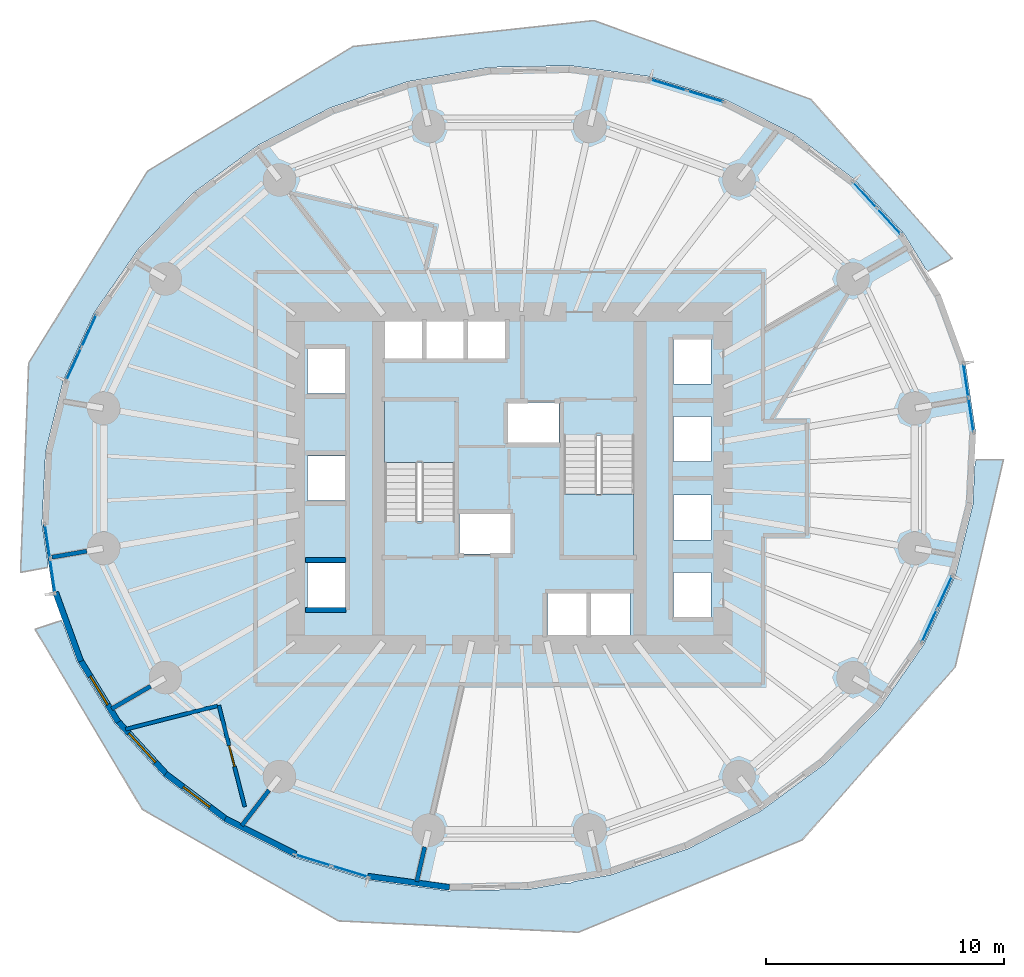
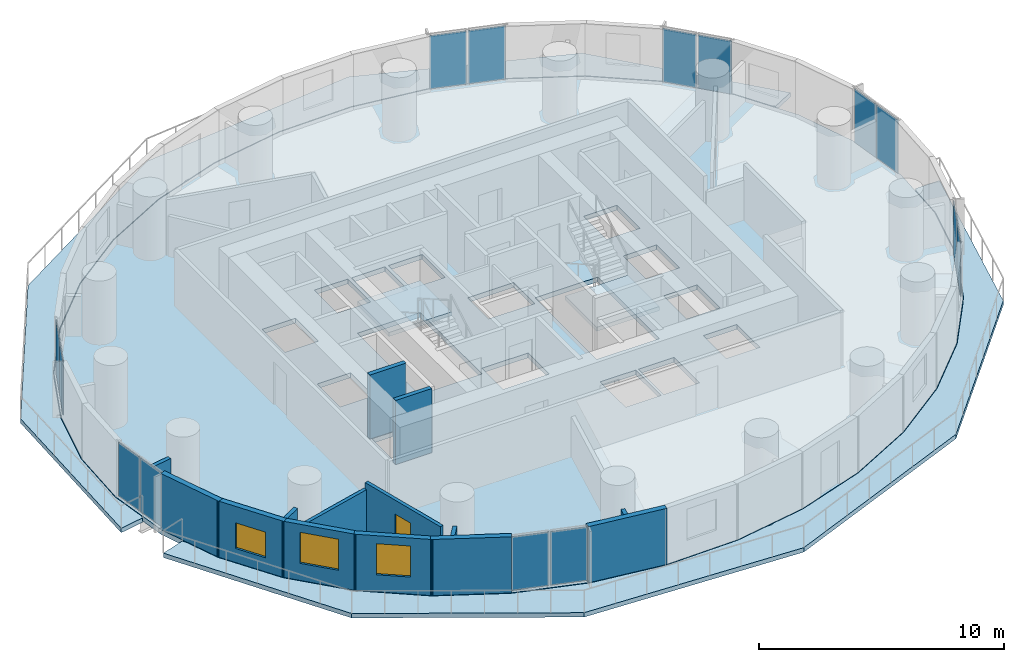
# One storey, part 6 of 13: 14 plates, 14 walls, 5 slabs, 3 windows, 1 door, 4 openings, 9 elements without a shape of their own.
"""IFC4 building model written with IfcOpenShell, lengths in metres."""

from ifc_helpers import new_model, si_unit, direction, frame, frame_2d, origin, origin_2d, place, context, subcontext, project, spatial, polyline, rectangle, outline, extrude, material, layer, layer_set, type_object, element, fill, aggregate, save


model = new_model("IFC4")

# Units and contexts
model_context = context("Model", 3, precision=1e-05, world=origin(), true_north=direction((0.0, 1.0)))
body_context = subcontext(model_context, "Body", "Model", "MODEL_VIEW")
ifc_project = project(units=[si_unit("LENGTHUNIT", "METRE"), si_unit("AREAUNIT", "SQUARE_METRE"), si_unit("VOLUMEUNIT", "CUBIC_METRE"), si_unit("PLANEANGLEUNIT", "RADIAN"), si_unit("MASSUNIT", "GRAM", prefix="KILO")], contexts=[model_context])

# Site, building, storey
site_placement = place(None, origin())
site = spatial("IfcSite", under=ifc_project, at=site_placement, CompositionType="ELEMENT")
building_placement = place(site_placement, origin())
building = spatial("IfcBuilding", under=site, at=building_placement, Name="Veldorim Arch Residences", CompositionType="ELEMENT")
storey_placement = place(building_placement, frame((0.0, 0.0, 63.199951171875)))
storey = spatial("IfcBuildingStorey", under=building, at=storey_placement, Name="L18", CompositionType="ELEMENT", Elevation=63.199951171875)

# Slabs
ifc_material_1 = material(Name="Concrete C40/50", Category="concrete")
ifc_layer_1 = layer(ifc_material_1, 0.219970703125, Name="Planted Crescent Cantilever Balcony Slab 220")
ifc_layer_set_1 = layer_set([ifc_layer_1], Name="Concrete C40/50")
slab_type_1 = type_object("IfcSlabType", Name="Planted Crescent Cantilever Balcony Slab 220", PredefinedType="FLOOR", material=ifc_layer_set_1)
slab_1_placement = place(storey_placement, frame((0.0, 0.0, -0.219970703125)))
element("IfcSlab", 1, at=slab_1_placement, inside=storey, type_object=slab_type_1, Name="L18 planted crescent balcony slab A", PredefinedType="FLOOR", context=body_context, shape_type="SweptSolid", body=[
    extrude(outline(polyline([(49.491455078125, 32.846435546875), (48.60009765625, 34.305419921875), (46.51318359375, 36.58251953125), (43.985107421875, 38.476806640625), (41.09326171875, 39.931396484375), (37.92529296875, 40.90185546875), (34.577392578125, 41.358642578125), (31.151611328125, 41.288330078125), (27.751220703125, 40.69287109375), (26.3125, 40.2080078125), (26.11572265625, 40.184326171875), (25.94580078125, 40.084228515625), (24.47998046875, 39.59033203125), (21.437255859375, 38.01416015625), (18.71533203125, 36.01220703125), (16.396728515625, 33.6455078125), (14.552001953125, 30.985595703125), (13.237548828125, 28.113037109375), (12.4931640625, 25.115234375), (12.341552734375, 22.08349609375), (12.588134765625, 20.4384765625), (12.56982421875, 20.248779296875), (11.438720703125, 20.040771484375), (11.780029296875, 28.84716796875), (16.785888671875, 36.92333984375), (25.424072265625, 42.167236328125), (35.5625, 43.259521484375), (44.68701171875, 39.9453125), (50.64208984375, 33.25146484375), (49.627197265625, 32.710693359375), (49.491455078125, 32.846435546875)])), origin(), (0.0, 0.0, 1.0), 0.219970703125),
])
slab_2_placement = place(storey_placement, frame((0.0, 0.0, -0.219970703125)))
element("IfcSlab", 2, at=slab_2_placement, inside=storey, type_object=slab_type_1, Name="L18 planted crescent balcony slab B", PredefinedType="FLOOR", context=body_context, shape_type="SweptSolid", body=[
    extrude(outline(polyline([(13.24755859375, 17.84765625), (13.8173828125, 16.284912109375), (15.39990234375, 13.694580078125), (17.48681640625, 11.41748046875), (20.014892578125, 9.523193359375), (22.90673828125, 8.068603515625), (26.07470703125, 7.09814453125), (29.422607421875, 6.641357421875), (32.848388671875, 6.711669921875), (34.372314453125, 6.978515625), (34.5693359375, 6.971923828125), (34.7529296875, 7.045166015625), (36.248779296875, 7.30712890625), (39.52001953125, 8.40966796875), (42.562744140625, 9.98583984375), (45.28466796875, 11.98779296875), (47.603271484375, 14.3544921875), (49.447998046875, 17.014404296875), (50.762451171875, 19.886962890625), (51.5068359375, 22.884765625), (51.59228515625, 24.59228515625), (51.646484375, 24.7763671875), (52.79638671875, 24.78662109375), (50.766357421875, 16.060546875), (44.33642578125, 8.787353515625), (34.909423828125, 4.899658203125), (24.815673828125, 5.375732421875), (16.557861328125, 10.075927734375), (12.0478515625, 17.647705078125), (13.140625, 18.005615234375), (13.24755859375, 17.84765625)])), origin(), (0.0, 0.0, 1.0), 0.219970703125),
])

# Stair, slab
ifc_material_2 = material(Name="Concrete C40/50", Category="concrete")
stair_type = type_object("IfcStairType", Name="Reinforced Concrete Dogleg Exit Staircase", PredefinedType="HALF_TURN_STAIR", material=ifc_material_2)
stair_1_placement = place(storey_placement, origin())
stair_1 = element("IfcStair", 3, at=stair_1_placement, inside=storey, type_object=stair_type, Name="L18 Exit Staircase ST-1", PredefinedType="HALF_TURN_STAIR")
ifc_material_3 = material(Name="Concrete C40/50", Category="concrete")
ifc_layer_2 = layer(ifc_material_3, 0.199951171875, Name="Reinforced Concrete Stair Landing 200")
ifc_layer_set_2 = layer_set([ifc_layer_2], Name="Concrete C40/50")
slab_type_2 = type_object("IfcSlabType", Name="Reinforced Concrete Stair Landing 200", PredefinedType="LANDING", material=ifc_layer_set_2)
slab_3_placement = place(storey_placement, frame((0.0, 0.0, 1.400146484375)))
slab_3 = element("IfcSlab", 4, at=slab_3_placement, type_object=slab_type_2, Name="ST-1 landing 1", PredefinedType="LANDING", context=body_context, shape_type="SweptSolid", body=[
    extrude(outline(polyline([(29.7099609375, 24.669921875), (29.7099609375, 27.25), (26.75, 27.25), (26.75, 24.669921875), (29.7099609375, 24.669921875)])), origin(), (0.0, 0.0, 1.0), 0.199951171875),
])
aggregate(stair_1, [slab_3])

stair_2_placement = place(storey_placement, origin())
stair_2 = element("IfcStair", 5, at=stair_2_placement, inside=storey, type_object=stair_type, Name="L18 Exit Staircase ST-2", PredefinedType="HALF_TURN_STAIR")
slab_4_placement = place(storey_placement, frame((0.0, 0.0, 1.400146484375)))
slab_4 = element("IfcSlab", 6, at=slab_4_placement, type_object=slab_type_2, Name="ST-2 landing 1", PredefinedType="LANDING", context=body_context, shape_type="SweptSolid", body=[
    extrude(outline(polyline([(34.2900390625, 23.330078125), (34.2900390625, 20.75), (37.25, 20.75), (37.25, 23.330078125), (34.2900390625, 23.330078125)])), origin(), (0.0, 0.0, 1.0), 0.199951171875),
])
aggregate(stair_2, [slab_4])

# Slab
ifc_material_4 = material(Name="Concrete C40/50", Category="concrete")
ifc_layer_3 = layer(ifc_material_4, 0.239990234375, Name="Typical Residential Floor Slab 240")
ifc_layer_set_3 = layer_set([ifc_layer_3], Name="Concrete C40/50")
slab_type_3 = type_object("IfcSlabType", Name="Typical Residential Floor Slab 240", PredefinedType="FLOOR", material=ifc_layer_set_3)
slab_5_placement = place(storey_placement, frame((0.0, 0.0, -0.239990234375)))
element("IfcSlab", 7, at=slab_5_placement, inside=storey, type_object=slab_type_3, Name="L18 tower structural floor slab", PredefinedType="FLOOR", context=body_context, shape_type="SweptSolid", body=[
    extrude(outline(polyline([(51.188232421875, 28.8837890625), (50.159912109375, 31.7041015625), (48.580078125, 34.290283203125), (46.49609375, 36.563720703125), (43.971923828125, 38.45556640625), (41.083984375, 39.908203125), (37.919921875, 40.877197265625), (34.575927734375, 41.333740234375), (31.15380859375, 41.263427734375), (27.75732421875, 40.668701171875), (24.489990234375, 39.567138671875), (21.450439453125, 37.992919921875), (18.731689453125, 35.993408203125), (16.416015625, 33.629638671875), (14.573974609375, 30.97314453125), (13.26123046875, 28.104736328125), (12.517822265625, 25.111572265625), (12.36669921875, 22.084716796875), (12.811767578125, 19.1162109375), (13.840087890625, 16.2958984375), (15.419921875, 13.709716796875), (17.50390625, 11.436279296875), (20.028076171875, 9.54443359375), (22.916015625, 8.091796875), (26.080078125, 7.122802734375), (29.424072265625, 6.666259765625), (32.84619140625, 6.736572265625), (36.24267578125, 7.331298828125), (39.510009765625, 8.432861328125), (42.549560546875, 10.007080078125), (45.268310546875, 12.006591796875), (47.583984375, 14.370361328125), (49.426025390625, 17.02685546875), (50.73876953125, 19.895263671875), (51.482177734375, 22.888427734375), (51.63330078125, 25.915283203125), (51.188232421875, 28.8837890625)]), holes=[polyline([(23.510009765625, 20.43994140625), (25.090087890625, 20.43994140625), (25.090087890625, 18.56005859375), (23.510009765625, 18.56005859375), (23.510009765625, 20.43994140625)]), polyline([(29.909912109375, 22.544921875), (32.090087890625, 22.544921875), (32.090087890625, 20.81494140625), (29.909912109375, 20.81494140625), (29.909912109375, 22.544921875)]), polyline([(23.510009765625, 24.93994140625), (25.090087890625, 24.93994140625), (25.090087890625, 23.06005859375), (23.510009765625, 23.06005859375), (23.510009765625, 24.93994140625)]), polyline([(26.75, 27.25), (29.7099609375, 27.25), (29.7099609375, 22.195068359375), (26.75, 22.195068359375), (26.75, 27.25)]), polyline([(23.510009765625, 29.43994140625), (25.090087890625, 29.43994140625), (25.090087890625, 27.56005859375), (23.510009765625, 27.56005859375), (23.510009765625, 29.43994140625)]), polyline([(26.760009765625, 30.7900390625), (28.340087890625, 30.7900390625), (28.340087890625, 28.909912109375), (26.760009765625, 28.909912109375), (26.760009765625, 30.7900390625)]), polyline([(28.510009765625, 30.7900390625), (30.090087890625, 30.7900390625), (30.090087890625, 28.909912109375), (28.510009765625, 28.909912109375), (28.510009765625, 30.7900390625)]), polyline([(30.260009765625, 30.7900390625), (31.840087890625, 30.7900390625), (31.840087890625, 28.909912109375), (30.260009765625, 28.909912109375), (30.260009765625, 30.7900390625)]), polyline([(33.610107421875, 19.2900390625), (35.2900390625, 19.2900390625), (35.2900390625, 17.2099609375), (33.610107421875, 17.2099609375), (33.610107421875, 19.2900390625)]), polyline([(35.409912109375, 19.2900390625), (37.090087890625, 19.2900390625), (37.090087890625, 17.2099609375), (35.409912109375, 17.2099609375), (35.409912109375, 19.2900390625)]), polyline([(38.909912109375, 20.0400390625), (40.489990234375, 20.0400390625), (40.489990234375, 18.159912109375), (38.909912109375, 18.159912109375), (38.909912109375, 20.0400390625)]), polyline([(38.909912109375, 23.2900390625), (40.489990234375, 23.2900390625), (40.489990234375, 21.409912109375), (38.909912109375, 21.409912109375), (38.909912109375, 23.2900390625)]), polyline([(34.2900390625, 25.804931640625), (37.25, 25.804931640625), (37.25, 20.75), (34.2900390625, 20.75), (34.2900390625, 25.804931640625)]), polyline([(38.909912109375, 26.590087890625), (40.489990234375, 26.590087890625), (40.489990234375, 24.7099609375), (38.909912109375, 24.7099609375), (38.909912109375, 26.590087890625)]), polyline([(31.909912109375, 27.18505859375), (34.090087890625, 27.18505859375), (34.090087890625, 25.455078125), (31.909912109375, 25.455078125), (31.909912109375, 27.18505859375)]), polyline([(38.909912109375, 29.840087890625), (40.489990234375, 29.840087890625), (40.489990234375, 27.9599609375), (38.909912109375, 27.9599609375), (38.909912109375, 29.840087890625)])]), origin(), (0.0, 0.0, 1.0), 0.239990234375),
])

# Curtain wall, plates
ifc_material_5 = material(Name="Aluminium", Category="aluminium")
curtain_wall_type = type_object("IfcCurtainWallType", Name="Zone 1 Acoustic Low-E Unitised Curtain Wall", PredefinedType="NOTDEFINED", material=ifc_material_5)
curtain_wall_1_placement = place(storey_placement, origin())
curtain_wall_1 = element("IfcCurtainWall", 8, at=curtain_wall_1_placement, inside=storey, type_object=curtain_wall_type, Name="L18 unitised curtain wall bay 03", PredefinedType="NOTDEFINED")
ifc_material_6 = material(Name="Laminated Low-E Glass", Category="glass")
ifc_layer_4 = layer(ifc_material_6, 0.02587890625, Name="Zone 1 Acoustic Low-E Unitised Curtain Wall Glazing Panel 26")
ifc_layer_set_4 = layer_set([ifc_layer_4], Name="Laminated Low-E Glass")
plate_type = type_object("IfcPlateType", Name="Zone 1 Acoustic Low-E Unitised Curtain Wall Glazing Panel 26", PredefinedType="CURTAIN_PANEL", material=ifc_layer_set_4)
plate_1_placement = place(storey_placement, frame((46.9619140625, 35.922607421875, 0.065185546875), z_axis=(0.0, 0.0, 1.0), x_axis=(0.675682046012, -0.737193171901, 0.0)))
plate_1 = element("IfcPlate", 9, at=plate_1_placement, type_object=plate_type, Name="CW-Z1 panel 1.1", PredefinedType="CURTAIN_PANEL", context=body_context, shape_type="SweptSolid", body=[
    extrude(rectangle(XDim=1.444580078125, YDim=0.02587890625, at=origin_2d()), origin(), (0.0, 0.0, 1.0), 2.669921875),
])
plate_2_placement = place(storey_placement, frame((47.981689453125, 34.809814453125, 0.065185546875), z_axis=(0.0, 0.0, 1.0), x_axis=(0.675682046012, -0.737193171901, 0.0)))
plate_2 = element("IfcPlate", 10, at=plate_2_placement, type_object=plate_type, Name="CW-Z1 panel 2.1", PredefinedType="CURTAIN_PANEL", context=body_context, shape_type="SweptSolid", body=[
    extrude(rectangle(XDim=1.444580078125, YDim=0.02587890625, at=origin_2d()), origin(), (0.0, 0.0, 1.0), 2.669921875),
])
aggregate(curtain_wall_1, [plate_1, plate_2])

curtain_wall_2_placement = place(storey_placement, origin())
curtain_wall_2 = element("IfcCurtainWall", 11, at=curtain_wall_2_placement, inside=storey, type_object=curtain_wall_type, Name="L18 unitised curtain wall bay 06", PredefinedType="NOTDEFINED")
plate_3_placement = place(storey_placement, frame((38.699951171875, 40.544189453125, 0.065185546875), z_axis=(0.0, 0.0, 1.0), x_axis=(0.956157827802, -0.292851853901, 0.0)))
plate_3 = element("IfcPlate", 12, at=plate_3_placement, type_object=plate_type, Name="CW-Z1 panel 1.1", PredefinedType="CURTAIN_PANEL", context=body_context, shape_type="SweptSolid", body=[
    extrude(rectangle(XDim=1.55712890625, YDim=0.02587890625, at=origin_2d()), origin(), (0.0, 0.0, 1.0), 2.669921875),
])
plate_4_placement = place(storey_placement, frame((40.2509765625, 40.069091796875, 0.065185546875), z_axis=(0.0, 0.0, 1.0), x_axis=(0.956157827802, -0.292851853901, 0.0)))
plate_4 = element("IfcPlate", 13, at=plate_4_placement, type_object=plate_type, Name="CW-Z1 panel 2.1", PredefinedType="CURTAIN_PANEL", context=body_context, shape_type="SweptSolid", body=[
    extrude(rectangle(XDim=1.55712890625, YDim=0.02587890625, at=origin_2d()), origin(), (0.0, 0.0, 1.0), 2.669921875),
])
aggregate(curtain_wall_2, [plate_3, plate_4])

curtain_wall_3_placement = place(storey_placement, origin())
curtain_wall_3 = element("IfcCurtainWall", 14, at=curtain_wall_3_placement, inside=storey, type_object=curtain_wall_type, Name="L18 unitised curtain wall bay 15", PredefinedType="NOTDEFINED")
plate_5_placement = place(storey_placement, frame((13.677978515625, 28.799072265625, 0.065185546875), z_axis=(0.0, 0.0, 1.0), x_axis=(0.416135060272, 0.909302816235, 0.0)))
plate_5 = element("IfcPlate", 15, at=plate_5_placement, type_object=plate_type, Name="CW-Z1 panel 1.1", PredefinedType="CURTAIN_PANEL", context=body_context, shape_type="SweptSolid", body=[
    extrude(rectangle(XDim=1.479736328125, YDim=0.02587890625, at=origin_2d()), origin(), (0.0, 0.0, 1.0), 2.669921875),
])
plate_6_placement = place(storey_placement, frame((14.32080078125, 30.20361328125, 0.065185546875), z_axis=(0.0, 0.0, 1.0), x_axis=(0.416135060272, 0.909302816235, 0.0)))
plate_6 = element("IfcPlate", 16, at=plate_6_placement, type_object=plate_type, Name="CW-Z1 panel 2.1", PredefinedType="CURTAIN_PANEL", context=body_context, shape_type="SweptSolid", body=[
    extrude(rectangle(XDim=1.479736328125, YDim=0.02587890625, at=origin_2d()), origin(), (0.0, 0.0, 1.0), 2.669921875),
])
aggregate(curtain_wall_3, [plate_5, plate_6])

curtain_wall_4_placement = place(storey_placement, origin())
curtain_wall_4 = element("IfcCurtainWall", 17, at=curtain_wall_4_placement, inside=storey, type_object=curtain_wall_type, Name="L18 unitised curtain wall bay 18", PredefinedType="NOTDEFINED")
plate_7_placement = place(storey_placement, frame((12.787109375, 19.8876953125, 0.065185546875), z_axis=(0.0, 0.0, 1.0), x_axis=(-0.148306244637, 0.988941483507, 0.0)))
plate_7 = element("IfcPlate", 18, at=plate_7_placement, type_object=plate_type, Name="CW-Z1 panel 1.1", PredefinedType="CURTAIN_PANEL", context=body_context, shape_type="SweptSolid", body=[
    extrude(rectangle(XDim=1.403564453125, YDim=0.02587890625, at=origin_2d()), origin(), (0.0, 0.0, 1.0), 2.669921875),
])
plate_8_placement = place(storey_placement, frame((12.5693359375, 21.33984375, 0.065185546875), z_axis=(0.0, 0.0, 1.0), x_axis=(-0.148306244637, 0.988941483507, 0.0)))
plate_8 = element("IfcPlate", 19, at=plate_8_placement, type_object=plate_type, Name="CW-Z1 panel 2.1", PredefinedType="CURTAIN_PANEL", context=body_context, shape_type="SweptSolid", body=[
    extrude(rectangle(XDim=1.403564453125, YDim=0.02587890625, at=origin_2d()), origin(), (0.0, 0.0, 1.0), 2.669921875),
])
aggregate(curtain_wall_4, [plate_7, plate_8])

curtain_wall_5_placement = place(storey_placement, origin())
curtain_wall_5 = element("IfcCurtainWall", 20, at=curtain_wall_5_placement, inside=storey, type_object=curtain_wall_type, Name="L18 unitised curtain wall bay 24", PredefinedType="NOTDEFINED")
plate_9_placement = place(storey_placement, frame((25.300048828125, 7.455810546875, 0.065185546875), z_axis=(0.0, 0.0, 1.0), x_axis=(-0.956157827802, 0.292851853901, 0.0)))
plate_9 = element("IfcPlate", 21, at=plate_9_placement, type_object=plate_type, Name="CW-Z1 panel 1.1", PredefinedType="CURTAIN_PANEL", context=body_context, shape_type="SweptSolid", body=[
    extrude(rectangle(XDim=1.55712890625, YDim=0.02587890625, at=origin_2d()), origin(), (0.0, 0.0, 1.0), 2.669921875),
])
plate_10_placement = place(storey_placement, frame((23.7490234375, 7.930908203125, 0.065185546875), z_axis=(0.0, 0.0, 1.0), x_axis=(-0.956157827802, 0.292851853901, 0.0)))
plate_10 = element("IfcPlate", 22, at=plate_10_placement, type_object=plate_type, Name="CW-Z1 panel 2.1", PredefinedType="CURTAIN_PANEL", context=body_context, shape_type="SweptSolid", body=[
    extrude(rectangle(XDim=1.55712890625, YDim=0.02587890625, at=origin_2d()), origin(), (0.0, 0.0, 1.0), 2.669921875),
])
aggregate(curtain_wall_5, [plate_9, plate_10])

curtain_wall_6_placement = place(storey_placement, origin())
curtain_wall_6 = element("IfcCurtainWall", 23, at=curtain_wall_6_placement, inside=storey, type_object=curtain_wall_type, Name="L18 unitised curtain wall bay 33", PredefinedType="NOTDEFINED")
plate_11_placement = place(storey_placement, frame((50.322021484375, 19.200927734375, 0.065185546875), z_axis=(0.0, 0.0, 1.0), x_axis=(-0.416135060272, -0.909302816235, 0.0)))
plate_11 = element("IfcPlate", 24, at=plate_11_placement, type_object=plate_type, Name="CW-Z1 panel 1.1", PredefinedType="CURTAIN_PANEL", context=body_context, shape_type="SweptSolid", body=[
    extrude(rectangle(XDim=1.479736328125, YDim=0.02587890625, at=origin_2d()), origin(), (0.0, 0.0, 1.0), 2.669921875),
])
plate_12_placement = place(storey_placement, frame((49.67919921875, 17.79638671875, 0.065185546875), z_axis=(0.0, 0.0, 1.0), x_axis=(-0.416135060272, -0.909302816235, 0.0)))
plate_12 = element("IfcPlate", 25, at=plate_12_placement, type_object=plate_type, Name="CW-Z1 panel 2.1", PredefinedType="CURTAIN_PANEL", context=body_context, shape_type="SweptSolid", body=[
    extrude(rectangle(XDim=1.479736328125, YDim=0.02587890625, at=origin_2d()), origin(), (0.0, 0.0, 1.0), 2.669921875),
])
aggregate(curtain_wall_6, [plate_11, plate_12])

curtain_wall_7_placement = place(storey_placement, origin())
curtain_wall_7 = element("IfcCurtainWall", 26, at=curtain_wall_7_placement, inside=storey, type_object=curtain_wall_type, Name="L18 unitised curtain wall bay 36", PredefinedType="NOTDEFINED")
plate_13_placement = place(storey_placement, frame((51.212890625, 28.1123046875, 0.065185546875), z_axis=(0.0, 0.0, 1.0), x_axis=(0.148306244637, -0.988941483507, 0.0)))
plate_13 = element("IfcPlate", 27, at=plate_13_placement, type_object=plate_type, Name="CW-Z1 panel 1.1", PredefinedType="CURTAIN_PANEL", context=body_context, shape_type="SweptSolid", body=[
    extrude(rectangle(XDim=1.403564453125, YDim=0.02587890625, at=origin_2d()), origin(), (0.0, 0.0, 1.0), 2.669921875),
])
plate_14_placement = place(storey_placement, frame((51.4306640625, 26.66015625, 0.065185546875), z_axis=(0.0, 0.0, 1.0), x_axis=(0.148306244637, -0.988941483507, 0.0)))
plate_14 = element("IfcPlate", 28, at=plate_14_placement, type_object=plate_type, Name="CW-Z1 panel 2.1", PredefinedType="CURTAIN_PANEL", context=body_context, shape_type="SweptSolid", body=[
    extrude(rectangle(XDim=1.403564453125, YDim=0.02587890625, at=origin_2d()), origin(), (0.0, 0.0, 1.0), 2.669921875),
])
aggregate(curtain_wall_7, [plate_13, plate_14])

# Walls
ifc_material_7 = material(Name="Lightweight Masonry Block & Gypsum", Category="masonry")
ifc_layer_5 = layer(ifc_material_7, 0.179931640625, Name="Compartment & Corridor Fire-Rated Party Wall 180")
ifc_layer_set_5 = layer_set([ifc_layer_5], Name="Lightweight Masonry Block & Gypsum")
wall_type_1 = type_object("IfcWallType", Name="Compartment & Corridor Fire-Rated Party Wall 180", PredefinedType="PARTITIONING", material=ifc_layer_set_5)
wall_1_placement = place(storey_placement, frame((14.224853515625, 20.931640625, 0.0), z_axis=(0.0, 0.0, 1.0), x_axis=(-0.985427868046, -0.170093847267, 0.0)))
element("IfcWall", 29, at=wall_1_placement, inside=storey, type_object=wall_type_1, Name="L18 interior wall WL-PIER-L18-09", PredefinedType="PARTITIONING", context=body_context, shape_type="SweptSolid", body=[
    extrude(rectangle(XDim=1.487060546875, YDim=0.179931640625, at=frame_2d((0.74365234375, 0.0))), origin(), (0.0, 0.0, 1.0), 2.018310546875),
])
wall_2_placement = place(storey_placement, frame((16.909423828125, 15.249755859375, 0.0), z_axis=(0.0, 0.0, 1.0), x_axis=(-0.865028951922, -0.501721947234, 0.0)))
element("IfcWall", 30, at=wall_2_placement, inside=storey, type_object=wall_type_1, Name="L18 interior wall WL-PIER-L18-10", PredefinedType="PARTITIONING", context=body_context, shape_type="SweptSolid", body=[
    extrude(rectangle(XDim=1.894287109375, YDim=0.179931640625, at=frame_2d((0.947265625, 0.0))), origin(), (0.0, 0.0, 1.0), 2.018310546875),
])
wall_3_placement = place(storey_placement, frame((21.893798828125, 10.874267578125, 0.0), z_axis=(0.0, 0.0, 1.0), x_axis=(-0.610131095296, -0.792300477441, 0.0)))
element("IfcWall", 31, at=wall_3_placement, inside=storey, type_object=wall_type_1, Name="L18 interior wall WL-PIER-L18-11", PredefinedType="PARTITIONING", context=body_context, shape_type="SweptSolid", body=[
    extrude(rectangle(XDim=1.88037109375, YDim=0.179931640625, at=frame_2d((0.940185546875, 0.0))), origin(), (0.0, 0.0, 1.0), 2.018310546875),
])
wall_4_placement = place(storey_placement, frame((28.444580078125, 8.48828125, 0.0), z_axis=(0.0, 0.0, 1.0), x_axis=(-0.223479327284, -0.974708669438, 0.0)))
element("IfcWall", 32, at=wall_4_placement, inside=storey, type_object=wall_type_1, Name="L18 interior wall WL-PIER-L18-12", PredefinedType="PARTITIONING", context=body_context, shape_type="SweptSolid", body=[
    extrude(rectangle(XDim=1.498779296875, YDim=0.179931640625, at=frame_2d((0.74951171875, 0.0))), origin(), (0.0, 0.0, 1.0), 2.018310546875),
])
ifc_material_8 = material(Name="Concrete C50/60", Category="concrete")
ifc_layer_6 = layer(ifc_material_8, 0.199951171875, Name="Core Stair & Lift Shaft Enclosure Wall 200")
ifc_layer_set_6 = layer_set([ifc_layer_6], Name="Concrete C50/60")
wall_type_2 = type_object("IfcWallType", Name="Core Stair & Lift Shaft Enclosure Wall 200", PredefinedType="SHEAR", material=ifc_layer_set_6)
for number, where, z_axis, x_axis, name in (
    (33, (23.419921875, 18.4599609375, 0.0), (0.0, 0.0, 1.0), (1.0, 0.0, 0.0), "L18 shaft wall WL-B2-L18-S"),
    (34, (23.419921875, 20.56005859375, 0.0), (0.0, 0.0, 1.0), (1.0, 0.0, 0.0), "L18 shaft wall WL-B2-L18-D1A"),
):
    element("IfcWall", number, at=place(storey_placement, frame(where, z_axis=z_axis, x_axis=x_axis)), inside=storey, type_object=wall_type_2, Name=name, PredefinedType="SHEAR", context=body_context, shape_type="SweptSolid", body=[
        extrude(rectangle(XDim=1.7099609375, YDim=0.199951171875, at=frame_2d((0.85498046875, 0.0))), origin(), (0.0, 0.0, 1.0), 3.199951171875),
    ])
ifc_material_9 = material(Name="Precast concrete C40/50", Category="concrete")
ifc_layer_7 = layer(ifc_material_9, 0.25, Name="Tower Terracotta Spandrel & Pier Wall 250")
ifc_layer_set_7 = layer_set([ifc_layer_7], Name="Precast concrete C40/50")
wall_type_3 = type_object("IfcWallType", Name="Tower Terracotta Spandrel & Pier Wall 250", PredefinedType="SOLIDWALL", material=ifc_layer_set_7)
wall_5_placement = place(storey_placement, frame((13.972900390625, 16.29638671875, 0.0), z_axis=(0.0, 0.0, 1.0), x_axis=(-0.342541792275, 0.939502592091, 0.0)))
element("IfcWall", 35, at=wall_5_placement, inside=storey, type_object=wall_type_3, Name="L18 terracotta facade wall 19", PredefinedType="SOLIDWALL", context=body_context, shape_type="SweptSolid", body=[
    extrude(rectangle(XDim=3.091796875, YDim=0.25, at=frame_2d((1.5458984375, 0.0))), origin(), (0.0, 0.0, 1.0), 2.800048828125),
])

# Wall, opening, window
wall_6_placement = place(storey_placement, frame((15.550048828125, 13.736572265625, 0.0), z_axis=(0.0, 0.0, 1.0), x_axis=(-0.521370891217, 0.853330178648, 0.0)))
wall_6 = element("IfcWall", 36, at=wall_6_placement, inside=storey, type_object=wall_type_3, Name="L18 terracotta facade wall 20", PredefinedType="SOLIDWALL", context=body_context, shape_type="SweptSolid", body=[
    extrude(rectangle(XDim=3.12060546875, YDim=0.25, at=frame_2d((1.560302734375, 0.0))), origin(), (0.0, 0.0, 1.0), 2.800048828125),
])
opening_1_placement = place(wall_6_placement, frame((0.860107421875, 0.0, 0.699951171875)))
opening_1 = element("IfcOpeningElement", 37, at=opening_1_placement, cuts=wall_6, Name="Opening WN-02", PredefinedType="OPENING", context=body_context, shape_type="SweptSolid", body=[
    extrude(rectangle(XDim=1.39990234375, YDim=1.280029296875, at=frame_2d((0.699951171875, 0.64013671875))), frame((0.0, 0.135009765625, 0.0), z_axis=(0.0, -1.0, 0.0), x_axis=(1.0, 0.0, 0.0)), (0.0, 0.0, 1.0), 0.27001953125),
])
ifc_material_10 = material(Name="Laminated Low-E Glass", Category="glass")
window_type_1 = type_object("IfcWindowType", Name="Residential Casement Window 1400x1550", PartitioningType="SINGLE_PANEL", PredefinedType="WINDOW", material=ifc_material_10)
window_1_placement = place(opening_1_placement, origin())
window_1 = element("IfcWindow", 38, at=window_1_placement, inside=storey, type_object=window_type_1, Name="L18 solar-control facade window 20", OverallHeight=1.280029296875, OverallWidth=1.39990234375, PartitioningType="SINGLE_PANEL", PredefinedType="WINDOW", context=body_context, shape_type="SweptSolid", body=[
    extrude(rectangle(XDim=1.39990234375, YDim=1.280029296875, at=frame_2d((0.699951171875, 0.64013671875))), frame((0.0, 0.030029296875, 0.0), z_axis=(0.0, -1.0, 0.0), x_axis=(1.0, 0.0, 0.0)), (0.0, 0.0, 1.0), 0.06005859375),
])
fill(opening_1, window_1)

wall_7_placement = place(storey_placement, frame((17.62646484375, 11.487548828125, 0.0), z_axis=(0.0, 0.0, 1.0), x_axis=(-0.675710696367, 0.737166911096, 0.0)))
wall_7 = element("IfcWall", 39, at=wall_7_placement, inside=storey, type_object=wall_type_3, Name="L18 terracotta facade wall 21", PredefinedType="SOLIDWALL", context=body_context, shape_type="SweptSolid", body=[
    extrude(rectangle(XDim=3.174072265625, YDim=0.25, at=frame_2d((1.5869140625, 0.0))), origin(), (0.0, 0.0, 1.0), 2.800048828125),
])
opening_2_placement = place(wall_7_placement, frame((0.761962890625, 0.0, 0.85009765625)))
opening_2 = element("IfcOpeningElement", 40, at=opening_2_placement, cuts=wall_7, Name="Opening WN-03", PredefinedType="OPENING", context=body_context, shape_type="SweptSolid", body=[
    extrude(rectangle(XDim=1.64990234375, YDim=1.550048828125, at=frame_2d((0.824951171875, 0.77490234375))), frame((0.0, 0.135009765625, 0.0), z_axis=(0.0, -1.0, 0.0), x_axis=(1.0, 0.0, 0.0)), (0.0, 0.0, 1.0), 0.27001953125),
])
ifc_material_11 = material(Name="Laminated Low-E Glass", Category="glass")
window_type_2 = type_object("IfcWindowType", Name="Residential Wide Window 1650x1550", PartitioningType="SINGLE_PANEL", PredefinedType="WINDOW", material=ifc_material_11)
window_2_placement = place(opening_2_placement, origin())
window_2 = element("IfcWindow", 41, at=window_2_placement, inside=storey, type_object=window_type_2, Name="L18 solar-control facade window 21", OverallHeight=1.550048828125, OverallWidth=1.64990234375, PartitioningType="SINGLE_PANEL", PredefinedType="WINDOW", context=body_context, shape_type="SweptSolid", body=[
    extrude(rectangle(XDim=1.64990234375, YDim=1.550048828125, at=frame_2d((0.824951171875, 0.77490234375))), frame((0.0, 0.030029296875, 0.0), z_axis=(0.0, -1.0, 0.0), x_axis=(1.0, 0.0, 0.0)), (0.0, 0.0, 1.0), 0.06005859375),
])
fill(opening_2, window_2)

wall_8_placement = place(storey_placement, frame((20.138916015625, 9.617431640625, 0.0), z_axis=(0.0, 0.0, 1.0), x_axis=(-0.800198613696, 0.599735090385, 0.0)))
wall_8 = element("IfcWall", 42, at=wall_8_placement, inside=storey, type_object=wall_type_3, Name="L18 terracotta facade wall 22", PredefinedType="SOLIDWALL", context=body_context, shape_type="SweptSolid", body=[
    extrude(rectangle(XDim=3.244384765625, YDim=0.25, at=frame_2d((1.6220703125, 0.0))), origin(), (0.0, 0.0, 1.0), 2.800048828125),
])
opening_3_placement = place(wall_8_placement, frame((0.922119140625, 0.0, 0.85009765625)))
opening_3 = element("IfcOpeningElement", 43, at=opening_3_placement, cuts=wall_8, Name="Opening WN-02", PredefinedType="OPENING", context=body_context, shape_type="SweptSolid", body=[
    extrude(rectangle(XDim=1.39990234375, YDim=1.550048828125, at=frame_2d((0.699951171875, 0.77490234375))), frame((0.0, 0.135009765625, 0.0), z_axis=(0.0, -1.0, 0.0), x_axis=(1.0, 0.0, 0.0)), (0.0, 0.0, 1.0), 0.27001953125),
])
window_3_placement = place(opening_3_placement, origin())
window_3 = element("IfcWindow", 44, at=window_3_placement, inside=storey, type_object=window_type_1, Name="L18 solar-control facade window 22", OverallHeight=1.550048828125, OverallWidth=1.39990234375, PartitioningType="SINGLE_PANEL", PredefinedType="WINDOW", context=body_context, shape_type="SweptSolid", body=[
    extrude(rectangle(XDim=1.39990234375, YDim=1.550048828125, at=frame_2d((0.699951171875, 0.77490234375))), frame((0.0, 0.030029296875, 0.0), z_axis=(0.0, -1.0, 0.0), x_axis=(1.0, 0.0, 0.0)), (0.0, 0.0, 1.0), 0.06005859375),
])
fill(opening_3, window_3)

# Walls
wall_9_placement = place(storey_placement, frame((23.012451171875, 8.18310546875, 0.0), z_axis=(0.0, 0.0, 1.0), x_axis=(-0.893351919744, 0.449357705498, 0.0)))
element("IfcWall", 45, at=wall_9_placement, inside=storey, type_object=wall_type_3, Name="L18 terracotta facade wall 23", PredefinedType="SOLIDWALL", context=body_context, shape_type="SweptSolid", body=[
    extrude(rectangle(XDim=3.322998046875, YDim=0.25, at=frame_2d((1.66162109375, 0.0))), origin(), (0.0, 0.0, 1.0), 2.800048828125),
])
wall_10_placement = place(storey_placement, frame((29.485595703125, 6.7841796875, 0.0), z_axis=(0.0, 0.0, 1.0), x_axis=(-0.99081644242, 0.13521382115, 0.0)))
element("IfcWall", 46, at=wall_10_placement, inside=storey, type_object=wall_type_3, Name="L18 terracotta facade wall 25", PredefinedType="SOLIDWALL", context=body_context, shape_type="SweptSolid", body=[
    extrude(rectangle(XDim=3.46484375, YDim=0.25, at=frame_2d((1.732421875, 0.0))), origin(), (0.0, 0.0, 1.0), 2.800048828125),
])

# Wall, opening, door
ifc_material_12 = material(Name="Moisture-Resistant Gypsum & Stud", Category="gypsum")
ifc_layer_8 = layer(ifc_material_12, 0.159912109375, Name="Wet-Area Moisture-Resistant Plumbing Wall 160")
ifc_layer_set_8 = layer_set([ifc_layer_8], Name="Moisture-Resistant Gypsum & Stud")
wall_type_4 = type_object("IfcWallType", Name="Wet-Area Moisture-Resistant Plumbing Wall 160", PredefinedType="PLUMBINGWALL", material=ifc_layer_set_8)
wall_11_placement = place(storey_placement, frame((20.871826171875, 10.177978515625, 0.0), z_axis=(0.0, 0.0, 1.0), x_axis=(-0.247520702126, 0.96888260487, 0.0)))
wall_11 = element("IfcWall", 47, at=wall_11_placement, inside=storey, type_object=wall_type_4, Name="L18 interior wall WL-RES-L18-015", PredefinedType="PLUMBINGWALL", context=body_context, shape_type="SweptSolid", body=[
    extrude(rectangle(XDim=4.399169921875, YDim=0.159912109375, at=frame_2d((2.19970703125, 0.0))), origin(), (0.0, 0.0, 1.0), 2.795166015625),
])
opening_4_placement = place(wall_11_placement, frame((1.74951171875, 0.0, 0.0)))
opening_4 = element("IfcOpeningElement", 48, at=opening_4_placement, cuts=wall_11, Name="Opening DR-WC", PredefinedType="OPENING", context=body_context, shape_type="SweptSolid", body=[
    extrude(rectangle(XDim=0.89990234375, YDim=2.10009765625, at=frame_2d((0.449951171875, 1.050048828125))), frame((0.0, 0.08984375, 0.0), z_axis=(0.0, -1.0, 0.0), x_axis=(1.0, 0.0, 0.0)), (0.0, 0.0, 1.0), 0.179931640625),
])
ifc_material_13 = material(Name="Laminate Timber", Category="wood")
door_type = type_object("IfcDoorType", Name="Bathroom & Accessible WC Moisture-Sealed Door 900x2100", OperationType="SINGLE_SWING_LEFT", PredefinedType="DOOR", material=ifc_material_13)
door_placement = place(opening_4_placement, origin())
door = element("IfcDoor", 49, at=door_placement, inside=storey, type_object=door_type, Name="L18 interior door DR-RES-L18-006", OperationType="SINGLE_SWING_RIGHT", OverallHeight=2.10009765625, OverallWidth=0.89990234375, PredefinedType="DOOR", context=body_context, shape_type="SweptSolid", body=[
    extrude(rectangle(XDim=0.89990234375, YDim=2.10009765625, at=frame_2d((0.449951171875, 1.050048828125))), frame((0.0, 0.02490234375, 0.0), z_axis=(0.0, -1.0, 0.0), x_axis=(1.0, 0.0, 0.0)), (0.0, 0.0, 1.0), 0.050048828125),
])
fill(opening_4, door)

# Wall
wall_12_placement = place(storey_placement, frame((19.724853515625, 14.42529296875, 0.0), z_axis=(0.0, 0.0, 1.0), x_axis=(-0.968902730544, -0.24744190984, 0.0)))
element("IfcWall", 50, at=wall_12_placement, inside=storey, type_object=wall_type_4, Name="L18 interior wall WL-RES-L18-016", PredefinedType="PLUMBINGWALL", context=body_context, shape_type="SweptSolid", body=[
    extrude(rectangle(XDim=3.989990234375, YDim=0.159912109375, at=frame_2d((1.9951171875, 0.0))), origin(), (0.0, 0.0, 1.0), 2.4814453125),
])

save(model, "model.ifc")
